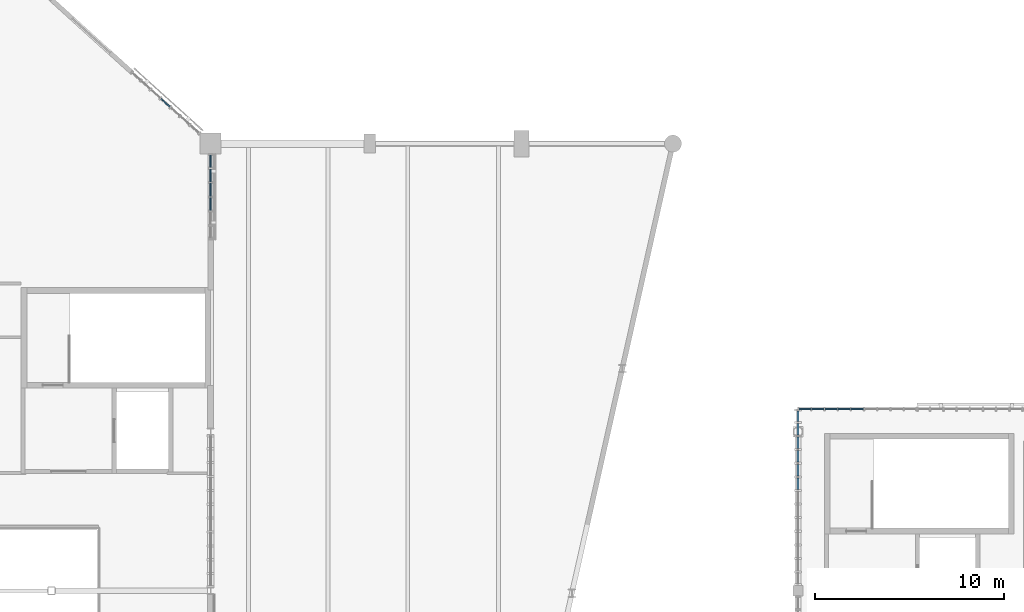
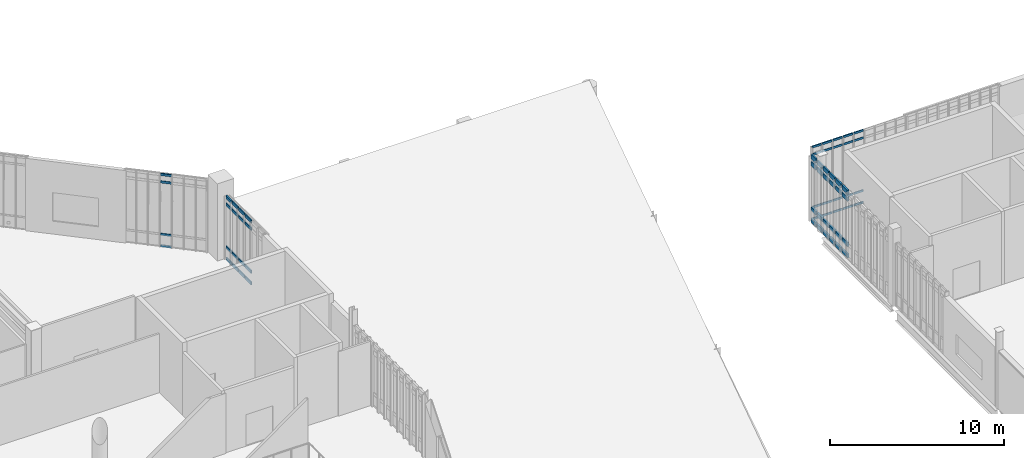
# One storey, part 60 of 135: 64 members, 4 elements without a shape of their own.
"""IFC4 building model written with IfcOpenShell, lengths in metres."""

import ifcopenshell
import ifcopenshell.guid

model = None  # the IFC model being written
_history = None  # IfcOwnerHistory: only IFC2X3 demands one
_inside = {}  # id of a spatial element -> (the spatial element, [elements in it])
_under = {}  # id of a project, library or spatial element -> (it, [spatial elements below it])
_declared = {}  # id of a project -> (the project, [libraries it declares])
_typed = {}  # id of a type object -> (the type object, [elements of that type])
_made_of = {}  # id of a material, layer set ... -> (it, [elements and type objects made of it])


def new_model(schema):
    """Start an empty IFC model of exactly this schema.

    Asked for "IFC4X3", IfcOpenShell would pick the latest addendum, in which some entities
    have other attributes; the version numbers below select the first issue.
    IFC2X3 requires an IfcOwnerHistory on every rooted entity: one is made here for all.
    """
    global model, _history
    if schema == "IFC4X3":
        model = ifcopenshell.file(schema_version=(4, 3, 0, 0))
    else:
        model = ifcopenshell.file(schema=schema)
    _inside.clear()
    _under.clear()
    _declared.clear()
    _typed.clear()
    _made_of.clear()
    _history = None
    if model.schema == "IFC2X3":
        org = make("IfcOrganization", Name="unknown")
        user = make(
            "IfcPersonAndOrganization",
            ThePerson=make("IfcPerson", FamilyName="unknown"),
            TheOrganization=org,
        )
        app = make(
            "IfcApplication",
            ApplicationDeveloper=org,
            Version="unknown",
            ApplicationFullName="unknown",
            ApplicationIdentifier="unknown",
        )
        _history = make(
            "IfcOwnerHistory",
            OwningUser=user,
            OwningApplication=app,
            ChangeAction="ADDED",
            CreationDate=0,
        )
    return model


def make(cls, **values):
    """One entity of the class cls with the attributes given. An attribute that is None is left unset."""
    return model.create_entity(
        cls, **{name: value for name, value in values.items() if value is not None}
    )


def rooted(cls, **values):
    """An entity with a GlobalId (a new one), such as an element, a storey or a relation."""
    return make(cls, GlobalId=ifcopenshell.guid.new(), OwnerHistory=_history, **values)


def si_unit(unit_type, name, prefix=None):
    """IfcSIUnit, for example si_unit("LENGTHUNIT", "METRE", prefix="MILLI")."""
    return make("IfcSIUnit", UnitType=unit_type, Prefix=prefix, Name=name)


def assignment(units):
    """IfcUnitAssignment: the units of a project."""
    return None if units is None else make("IfcUnitAssignment", Units=units)


def point(xyz):
    """IfcCartesianPoint."""
    return None if xyz is None else make("IfcCartesianPoint", Coordinates=xyz)


def direction(xyz):
    """IfcDirection."""
    return None if xyz is None else make("IfcDirection", DirectionRatios=xyz)


def frame(location, z_axis=None, x_axis=None):
    """IfcAxis2Placement3D, a coordinate frame: its origin and axes. An axis left out is left unset."""
    return make(
        "IfcAxis2Placement3D",
        Location=point(location),
        Axis=direction(z_axis),
        RefDirection=direction(x_axis),
    )


def frame_2d(location, x_axis=None):
    """IfcAxis2Placement2D, a coordinate frame in the plane: its origin and x axis."""
    return make(
        "IfcAxis2Placement2D", Location=point(location), RefDirection=direction(x_axis)
    )


def origin():
    """The frame at (0, 0, 0) with its axes left unset."""
    return frame((0.0, 0.0, 0.0))


def origin_2d():
    """The frame at (0, 0) in the plane with its x axis left unset."""
    return frame_2d((0.0, 0.0))


def place(relative_to, where):
    """IfcLocalPlacement: puts the frame where relative to a parent placement (None: the world)."""
    return make(
        "IfcLocalPlacement", PlacementRelTo=relative_to, RelativePlacement=where
    )


def context(
    kind, dimensions, precision=None, world=None, true_north=None, identifier=None
):
    """IfcGeometricRepresentationContext, for example the 3D "Model" context."""
    return make(
        "IfcGeometricRepresentationContext",
        ContextIdentifier=identifier,
        ContextType=kind,
        CoordinateSpaceDimension=dimensions,
        Precision=precision,
        WorldCoordinateSystem=world,
        TrueNorth=true_north,
    )


def subcontext(parent, identifier, kind, view, scale=None):
    """IfcGeometricRepresentationSubContext, for example "Body" below "Model"."""
    return make(
        "IfcGeometricRepresentationSubContext",
        ContextIdentifier=identifier,
        ContextType=kind,
        ParentContext=parent,
        TargetScale=scale,
        TargetView=view,
    )


def project(units=None, contexts=None):
    """IfcProject with its units and contexts."""
    return rooted(
        "IfcProject",
        Name="project",
        RepresentationContexts=contexts,
        UnitsInContext=assignment(units),
    )


def spatial(cls, under=None, at=None, **own):
    """A site, building, storey or space (cls), placed at a placement, below another one or the project."""
    s = rooted(cls, ObjectPlacement=at, **own)
    if under is not None:
        _under.setdefault(under.id(), (under, []))[1].append(s)
    return s


def profile(cls, at=None, kind="AREA", **sizes):
    """A parametric profile (cls). Its sizes go by their IFC names, for example OverallWidth=200.0."""
    return make(cls, ProfileType=kind, Position=at, **sizes)


def rectangle(**sizes):
    """IfcRectangleProfileDef."""
    return profile("IfcRectangleProfileDef", **sizes)


def extrude(swept, where, along, depth):
    """IfcExtrudedAreaSolid: the profile swept, set in the frame where, extruded along a direction by depth."""
    return make(
        "IfcExtrudedAreaSolid",
        SweptArea=swept,
        Position=where,
        ExtrudedDirection=direction(along),
        Depth=depth,
    )


def shape(context_of_items, identifier, shape_type, items):
    """IfcShapeRepresentation: the items that make up one representation, for example the "Body"."""
    return make(
        "IfcShapeRepresentation",
        ContextOfItems=context_of_items,
        RepresentationIdentifier=identifier,
        RepresentationType=shape_type,
        Items=items,
    )


def material(Name=None, Category=None):
    """IfcMaterial."""
    return make("IfcMaterial", Name=Name, Category=Category)


def material_profile(
    of_material, cross_section, Name=None, Category=None, Priority=None
):
    """IfcMaterialProfile: a cross section and its material."""
    return make(
        "IfcMaterialProfile",
        Name=Name,
        Material=of_material,
        Profile=cross_section,
        Priority=Priority,
        Category=Category,
    )


def profile_set(profiles, Name=None, composite=None):
    """IfcMaterialProfileSet."""
    return make(
        "IfcMaterialProfileSet",
        Name=Name,
        MaterialProfiles=profiles,
        CompositeProfile=composite,
    )


def made_of(thing, what):
    """Note that an element or type object is made of a material, layer set ...; save() writes the relation."""
    if what is not None:
        _made_of.setdefault(what.id(), (what, []))[1].append(thing)
    return thing


def type_object(cls, material=None, **own):
    """A type object (cls), such as IfcWallType, which elements share."""
    return made_of(rooted(cls, **own), material)


def element(
    cls,
    number,
    at=None,
    inside=None,
    cuts=None,
    type_object=None,
    material=None,
    context=None,
    identifier="Body",
    shape_type=None,
    held_by="IfcProductDefinitionShape",
    body=None,
    shapes=None,
    **own,
):
    """One element of the class cls, such as IfcWall. Its Tag is "e" and its number.

    at: its placement. inside: the storey or other place that contains it. cuts: it is an
    opening in that element (IfcRelVoidsElement). A single representation is given by context,
    identifier, shape_type and body (its items); several are given by shapes. held_by: the class
    of the entity that holds the representations. save() writes the other relations.
    """
    e = rooted(cls, Tag="e%d" % number, ObjectPlacement=at, **own)
    if body is not None:
        shapes = [shape(context, identifier, shape_type, body)]
    if shapes is not None:
        e.Representation = make(held_by, Representations=shapes)
    if inside is not None:
        _inside.setdefault(inside.id(), (inside, []))[1].append(e)
    if cuts is not None:
        rooted(
            "IfcRelVoidsElement", RelatingBuildingElement=cuts, RelatedOpeningElement=e
        )
    if type_object is not None:
        _typed.setdefault(type_object.id(), (type_object, []))[1].append(e)
    return made_of(e, material)


def aggregate(whole, parts):
    """IfcRelAggregates: a whole, such as a stair, and the parts it consists of."""
    return rooted("IfcRelAggregates", RelatingObject=whole, RelatedObjects=parts)


def save(model, path):
    """Write the relations noted so far, then the file.

    IfcRelAggregates (storeys below a building ...), IfcRelContainedInSpatialStructure (elements
    in a storey), IfcRelDefinesByType, IfcRelAssociatesMaterial and IfcRelDeclares: one each for
    every whole, place, type object, material and project.
    """
    for whole, parts in _under.values():
        aggregate(whole, parts)
    for where, things in _inside.values():
        rooted(
            "IfcRelContainedInSpatialStructure",
            RelatedElements=things,
            RelatingStructure=where,
        )
    for kind, things in _typed.values():
        rooted("IfcRelDefinesByType", RelatedObjects=things, RelatingType=kind)
    for what, things in _made_of.values():
        rooted("IfcRelAssociatesMaterial", RelatedObjects=things, RelatingMaterial=what)
    for by, libraries in _declared.values():
        rooted("IfcRelDeclares", RelatingContext=by, RelatedDefinitions=libraries)
    model.write(path)


model = new_model("IFC4")

# Units and contexts
model_context = context("Model", 3, precision=1e-05, world=origin(), true_north=direction((0.0, 1.0)))
body_context = subcontext(model_context, "Body", "Model", "MODEL_VIEW")
ifc_project = project(units=[si_unit("LENGTHUNIT", "METRE"), si_unit("AREAUNIT", "SQUARE_METRE"), si_unit("VOLUMEUNIT", "CUBIC_METRE"), si_unit("PLANEANGLEUNIT", "RADIAN"), si_unit("MASSUNIT", "GRAM", prefix="KILO")], contexts=[model_context])

# Site, building, storey
site_placement = place(None, origin())
site = spatial("IfcSite", under=ifc_project, at=site_placement, CompositionType="ELEMENT")
building_placement = place(site_placement, origin())
building = spatial("IfcBuilding", under=site, at=building_placement, Name="Larkvane Passage Sports Hall", CompositionType="ELEMENT")
storey_placement = place(building_placement, frame((0.0, 0.0, 16.800048828125)))
storey = spatial("IfcBuildingStorey", under=building, at=storey_placement, Name="L03", CompositionType="ELEMENT", Elevation=16.800048828125)

# Curtain wall, members
ifc_material_1 = material(Name="Thermally broken aluminium and low-E glazing", Category="aluminium")
curtain_wall_type_1 = type_object("IfcCurtainWallType", Name="CW-CLINIC", PredefinedType="USERDEFINED", material=ifc_material_1)
curtain_wall_1_placement = place(storey_placement, origin())
curtain_wall_1 = element("IfcCurtainWall", 1, at=curtain_wall_1_placement, inside=storey, type_object=curtain_wall_type_1, Name="Curtain wall CW5-L03-103", ObjectType="UNITISED CURTAIN WALL", PredefinedType="USERDEFINED")
ifc_material_2 = material(Name="Anodised aluminium 6063-T6", Category="aluminium")
ifc_material_profile_1 = material_profile(ifc_material_2, rectangle(XDim=0.110107421875, YDim=0.2900390625, at=origin_2d()), Name="ALU-TRN-110x290")
ifc_profile_set_1 = profile_set([ifc_material_profile_1], Name="Anodised aluminium 6063-T6")
member_type_1 = type_object("IfcMemberType", Name="CW-TRN-110x290", PredefinedType="USERDEFINED", material=ifc_profile_set_1)
member_1_placement = place(storey_placement, frame((124.60009765625, 80.94921875, 0.054931640625), z_axis=(0.0, 1.0, 0.0), x_axis=(-1.0, 0.0, 0.0)))
member_1 = element("IfcMember", 2, at=member_1_placement, type_object=member_type_1, Name="CW-05 transom 8.1", ObjectType="TRANSOM", PredefinedType="USERDEFINED", context=body_context, shape_type="SweptSolid", body=[
    extrude(rectangle(XDim=0.110107421875, YDim=0.2900390625, at=origin_2d()), origin(), (0.0, 0.0, 1.0), 0.607666015625),
])
member_2_placement = place(storey_placement, frame((124.60009765625, 80.94921875, 0.849853515625), z_axis=(0.0, 1.0, 0.0), x_axis=(-1.0, 0.0, 0.0)))
member_2 = element("IfcMember", 3, at=member_2_placement, type_object=member_type_1, Name="CW-05 transom 8.2", ObjectType="TRANSOM", PredefinedType="USERDEFINED", context=body_context, shape_type="SweptSolid", body=[
    extrude(rectangle(XDim=0.110107421875, YDim=0.2900390625, at=origin_2d()), origin(), (0.0, 0.0, 1.0), 0.607666015625),
])
member_3_placement = place(storey_placement, frame((124.60009765625, 80.94921875, 4.01806640625), z_axis=(0.0, 1.0, 0.0), x_axis=(-1.0, 0.0, 0.0)))
member_3 = element("IfcMember", 4, at=member_3_placement, type_object=member_type_1, Name="CW-05 transom 8.3", ObjectType="TRANSOM", PredefinedType="USERDEFINED", context=body_context, shape_type="SweptSolid", body=[
    extrude(rectangle(XDim=0.110107421875, YDim=0.2900390625, at=origin_2d()), origin(), (0.0, 0.0, 1.0), 0.607666015625),
])
member_4_placement = place(storey_placement, frame((124.60009765625, 80.94921875, 4.512939453125), z_axis=(0.0, 1.0, 0.0), x_axis=(-1.0, 0.0, 0.0)))
member_4 = element("IfcMember", 5, at=member_4_placement, type_object=member_type_1, Name="CW-05 transom 8.4", ObjectType="TRANSOM", PredefinedType="USERDEFINED", context=body_context, shape_type="SweptSolid", body=[
    extrude(rectangle(XDim=0.110107421875, YDim=0.2900390625, at=origin_2d()), origin(), (0.0, 0.0, 1.0), 0.607666015625),
])
member_5_placement = place(storey_placement, frame((124.60009765625, 81.6669921875, 0.054931640625), z_axis=(0.0, 1.0, 0.0), x_axis=(-1.0, 0.0, 0.0)))
member_5 = element("IfcMember", 6, at=member_5_placement, type_object=member_type_1, Name="CW-05 transom 9.1", ObjectType="TRANSOM", PredefinedType="USERDEFINED", context=body_context, shape_type="SweptSolid", body=[
    extrude(rectangle(XDim=0.110107421875, YDim=0.2900390625, at=origin_2d()), origin(), (0.0, 0.0, 1.0), 0.607666015625),
])
member_6_placement = place(storey_placement, frame((124.60009765625, 81.6669921875, 0.849853515625), z_axis=(0.0, 1.0, 0.0), x_axis=(-1.0, 0.0, 0.0)))
member_6 = element("IfcMember", 7, at=member_6_placement, type_object=member_type_1, Name="CW-05 transom 9.2", ObjectType="TRANSOM", PredefinedType="USERDEFINED", context=body_context, shape_type="SweptSolid", body=[
    extrude(rectangle(XDim=0.110107421875, YDim=0.2900390625, at=origin_2d()), origin(), (0.0, 0.0, 1.0), 0.607666015625),
])
member_7_placement = place(storey_placement, frame((124.60009765625, 81.6669921875, 4.01806640625), z_axis=(0.0, 1.0, 0.0), x_axis=(-1.0, 0.0, 0.0)))
member_7 = element("IfcMember", 8, at=member_7_placement, type_object=member_type_1, Name="CW-05 transom 9.3", ObjectType="TRANSOM", PredefinedType="USERDEFINED", context=body_context, shape_type="SweptSolid", body=[
    extrude(rectangle(XDim=0.110107421875, YDim=0.2900390625, at=origin_2d()), origin(), (0.0, 0.0, 1.0), 0.607666015625),
])
member_8_placement = place(storey_placement, frame((124.60009765625, 81.6669921875, 4.512939453125), z_axis=(0.0, 1.0, 0.0), x_axis=(-1.0, 0.0, 0.0)))
member_8 = element("IfcMember", 9, at=member_8_placement, type_object=member_type_1, Name="CW-05 transom 9.4", ObjectType="TRANSOM", PredefinedType="USERDEFINED", context=body_context, shape_type="SweptSolid", body=[
    extrude(rectangle(XDim=0.110107421875, YDim=0.2900390625, at=origin_2d()), origin(), (0.0, 0.0, 1.0), 0.607666015625),
])
member_9_placement = place(storey_placement, frame((124.60009765625, 82.384521484375, 0.054931640625), z_axis=(0.0, 1.0, 0.0), x_axis=(-1.0, 0.0, 0.0)))
member_9 = element("IfcMember", 10, at=member_9_placement, type_object=member_type_1, Name="CW-05 transom 10.1", ObjectType="TRANSOM", PredefinedType="USERDEFINED", context=body_context, shape_type="SweptSolid", body=[
    extrude(rectangle(XDim=0.110107421875, YDim=0.2900390625, at=origin_2d()), origin(), (0.0, 0.0, 1.0), 0.607666015625),
])
member_10_placement = place(storey_placement, frame((124.60009765625, 82.384521484375, 0.849853515625), z_axis=(0.0, 1.0, 0.0), x_axis=(-1.0, 0.0, 0.0)))
member_10 = element("IfcMember", 11, at=member_10_placement, type_object=member_type_1, Name="CW-05 transom 10.2", ObjectType="TRANSOM", PredefinedType="USERDEFINED", context=body_context, shape_type="SweptSolid", body=[
    extrude(rectangle(XDim=0.110107421875, YDim=0.2900390625, at=origin_2d()), origin(), (0.0, 0.0, 1.0), 0.607666015625),
])
member_11_placement = place(storey_placement, frame((124.60009765625, 82.384521484375, 4.01806640625), z_axis=(0.0, 1.0, 0.0), x_axis=(-1.0, 0.0, 0.0)))
member_11 = element("IfcMember", 12, at=member_11_placement, type_object=member_type_1, Name="CW-05 transom 10.3", ObjectType="TRANSOM", PredefinedType="USERDEFINED", context=body_context, shape_type="SweptSolid", body=[
    extrude(rectangle(XDim=0.110107421875, YDim=0.2900390625, at=origin_2d()), origin(), (0.0, 0.0, 1.0), 0.607666015625),
])
member_12_placement = place(storey_placement, frame((124.60009765625, 82.384521484375, 4.512939453125), z_axis=(0.0, 1.0, 0.0), x_axis=(-1.0, 0.0, 0.0)))
member_12 = element("IfcMember", 13, at=member_12_placement, type_object=member_type_1, Name="CW-05 transom 10.4", ObjectType="TRANSOM", PredefinedType="USERDEFINED", context=body_context, shape_type="SweptSolid", body=[
    extrude(rectangle(XDim=0.110107421875, YDim=0.2900390625, at=origin_2d()), origin(), (0.0, 0.0, 1.0), 0.607666015625),
])
member_13_placement = place(storey_placement, frame((124.60009765625, 83.10205078125, 0.054931640625), z_axis=(0.0, 1.0, 0.0), x_axis=(-1.0, 0.0, 0.0)))
member_13 = element("IfcMember", 14, at=member_13_placement, type_object=member_type_1, Name="CW-05 transom 11.1", ObjectType="TRANSOM", PredefinedType="USERDEFINED", context=body_context, shape_type="SweptSolid", body=[
    extrude(rectangle(XDim=0.110107421875, YDim=0.2900390625, at=origin_2d()), origin(), (0.0, 0.0, 1.0), 0.607666015625),
])
member_14_placement = place(storey_placement, frame((124.60009765625, 83.10205078125, 0.849853515625), z_axis=(0.0, 1.0, 0.0), x_axis=(-1.0, 0.0, 0.0)))
member_14 = element("IfcMember", 15, at=member_14_placement, type_object=member_type_1, Name="CW-05 transom 11.2", ObjectType="TRANSOM", PredefinedType="USERDEFINED", context=body_context, shape_type="SweptSolid", body=[
    extrude(rectangle(XDim=0.110107421875, YDim=0.2900390625, at=origin_2d()), origin(), (0.0, 0.0, 1.0), 0.607666015625),
])
member_15_placement = place(storey_placement, frame((124.60009765625, 83.10205078125, 4.01806640625), z_axis=(0.0, 1.0, 0.0), x_axis=(-1.0, 0.0, 0.0)))
member_15 = element("IfcMember", 16, at=member_15_placement, type_object=member_type_1, Name="CW-05 transom 11.3", ObjectType="TRANSOM", PredefinedType="USERDEFINED", context=body_context, shape_type="SweptSolid", body=[
    extrude(rectangle(XDim=0.110107421875, YDim=0.2900390625, at=origin_2d()), origin(), (0.0, 0.0, 1.0), 0.607666015625),
])
member_16_placement = place(storey_placement, frame((124.60009765625, 83.10205078125, 4.512939453125), z_axis=(0.0, 1.0, 0.0), x_axis=(-1.0, 0.0, 0.0)))
member_16 = element("IfcMember", 17, at=member_16_placement, type_object=member_type_1, Name="CW-05 transom 11.4", ObjectType="TRANSOM", PredefinedType="USERDEFINED", context=body_context, shape_type="SweptSolid", body=[
    extrude(rectangle(XDim=0.110107421875, YDim=0.2900390625, at=origin_2d()), origin(), (0.0, 0.0, 1.0), 0.607666015625),
])
member_17_placement = place(storey_placement, frame((124.60009765625, 83.81982421875, 0.054931640625), z_axis=(0.0, 1.0, 0.0), x_axis=(-1.0, 0.0, 0.0)))
member_17 = element("IfcMember", 18, at=member_17_placement, type_object=member_type_1, Name="CW-05 transom 12.1", ObjectType="TRANSOM", PredefinedType="USERDEFINED", context=body_context, shape_type="SweptSolid", body=[
    extrude(rectangle(XDim=0.110107421875, YDim=0.2900390625, at=origin_2d()), origin(), (0.0, 0.0, 1.0), 0.607666015625),
])
member_18_placement = place(storey_placement, frame((124.60009765625, 83.81982421875, 0.849853515625), z_axis=(0.0, 1.0, 0.0), x_axis=(-1.0, 0.0, 0.0)))
member_18 = element("IfcMember", 19, at=member_18_placement, type_object=member_type_1, Name="CW-05 transom 12.2", ObjectType="TRANSOM", PredefinedType="USERDEFINED", context=body_context, shape_type="SweptSolid", body=[
    extrude(rectangle(XDim=0.110107421875, YDim=0.2900390625, at=origin_2d()), origin(), (0.0, 0.0, 1.0), 0.607666015625),
])
member_19_placement = place(storey_placement, frame((124.60009765625, 83.81982421875, 4.01806640625), z_axis=(0.0, 1.0, 0.0), x_axis=(-1.0, 0.0, 0.0)))
member_19 = element("IfcMember", 20, at=member_19_placement, type_object=member_type_1, Name="CW-05 transom 12.3", ObjectType="TRANSOM", PredefinedType="USERDEFINED", context=body_context, shape_type="SweptSolid", body=[
    extrude(rectangle(XDim=0.110107421875, YDim=0.2900390625, at=origin_2d()), origin(), (0.0, 0.0, 1.0), 0.607666015625),
])
member_20_placement = place(storey_placement, frame((124.60009765625, 83.81982421875, 4.512939453125), z_axis=(0.0, 1.0, 0.0), x_axis=(-1.0, 0.0, 0.0)))
member_20 = element("IfcMember", 21, at=member_20_placement, type_object=member_type_1, Name="CW-05 transom 12.4", ObjectType="TRANSOM", PredefinedType="USERDEFINED", context=body_context, shape_type="SweptSolid", body=[
    extrude(rectangle(XDim=0.110107421875, YDim=0.2900390625, at=origin_2d()), origin(), (0.0, 0.0, 1.0), 0.607666015625),
])
member_21_placement = place(storey_placement, frame((124.60009765625, 84.537353515625, 0.054931640625), z_axis=(0.0, 1.0, 0.0), x_axis=(-1.0, 0.0, 0.0)))
member_21 = element("IfcMember", 22, at=member_21_placement, type_object=member_type_1, Name="CW-05 transom 13.1", ObjectType="TRANSOM", PredefinedType="USERDEFINED", context=body_context, shape_type="SweptSolid", body=[
    extrude(rectangle(XDim=0.110107421875, YDim=0.2900390625, at=origin_2d()), origin(), (0.0, 0.0, 1.0), 0.552734375),
])
member_22_placement = place(storey_placement, frame((124.60009765625, 84.537353515625, 0.849853515625), z_axis=(0.0, 1.0, 0.0), x_axis=(-1.0, 0.0, 0.0)))
member_22 = element("IfcMember", 23, at=member_22_placement, type_object=member_type_1, Name="CW-05 transom 13.2", ObjectType="TRANSOM", PredefinedType="USERDEFINED", context=body_context, shape_type="SweptSolid", body=[
    extrude(rectangle(XDim=0.110107421875, YDim=0.2900390625, at=origin_2d()), origin(), (0.0, 0.0, 1.0), 0.552734375),
])
member_23_placement = place(storey_placement, frame((124.60009765625, 84.537353515625, 4.01806640625), z_axis=(0.0, 1.0, 0.0), x_axis=(-1.0, 0.0, 0.0)))
member_23 = element("IfcMember", 24, at=member_23_placement, type_object=member_type_1, Name="CW-05 transom 13.3", ObjectType="TRANSOM", PredefinedType="USERDEFINED", context=body_context, shape_type="SweptSolid", body=[
    extrude(rectangle(XDim=0.110107421875, YDim=0.2900390625, at=origin_2d()), origin(), (0.0, 0.0, 1.0), 0.552734375),
])
member_24_placement = place(storey_placement, frame((124.60009765625, 84.537353515625, 4.512939453125), z_axis=(0.0, 1.0, 0.0), x_axis=(-1.0, 0.0, 0.0)))
member_24 = element("IfcMember", 25, at=member_24_placement, type_object=member_type_1, Name="CW-05 transom 13.4", ObjectType="TRANSOM", PredefinedType="USERDEFINED", context=body_context, shape_type="SweptSolid", body=[
    extrude(rectangle(XDim=0.110107421875, YDim=0.2900390625, at=origin_2d()), origin(), (0.0, 0.0, 1.0), 0.552734375),
])
aggregate(curtain_wall_1, [member_1, member_2, member_3, member_4, member_5, member_6, member_7, member_8, member_9, member_10, member_11, member_12, member_13, member_14, member_15, member_16, member_17, member_18, member_19, member_20, member_21, member_22, member_23, member_24])

curtain_wall_type_2 = type_object("IfcCurtainWallType", Name="CW-UNIT-COURT", PredefinedType="USERDEFINED", material=ifc_material_1)
curtain_wall_2_placement = place(storey_placement, origin())
curtain_wall_2 = element("IfcCurtainWall", 26, at=curtain_wall_2_placement, inside=storey, type_object=curtain_wall_type_2, Name="Curtain wall CW5-L03-104", ObjectType="UNITISED CURTAIN WALL", PredefinedType="USERDEFINED")
ifc_material_profile_2 = material_profile(ifc_material_2, rectangle(XDim=0.06494140625, YDim=0.139892578125, at=origin_2d()), Name="ALU-TRN-65x140")
ifc_profile_set_2 = profile_set([ifc_material_profile_2], Name="Anodised aluminium 6063-T6")
member_type_2 = type_object("IfcMemberType", Name="CW-TRN-65x140", PredefinedType="USERDEFINED", material=ifc_profile_set_2)
member_25_placement = place(storey_placement, frame((124.6650390625, 85.199951171875, 0.032470703125), z_axis=(1.0, 0.0, 0.0), x_axis=(0.0, 1.0, 0.0)))
member_25 = element("IfcMember", 27, at=member_25_placement, type_object=member_type_2, Name="CW-01 transom 1.1", ObjectType="TRANSOM", PredefinedType="USERDEFINED", context=body_context, shape_type="SweptSolid", body=[
    extrude(rectangle(XDim=0.06494140625, YDim=0.139892578125, at=origin_2d()), origin(), (0.0, 0.0, 1.0), 0.599609375),
])
member_26_placement = place(storey_placement, frame((124.6650390625, 85.199951171875, 0.849853515625), z_axis=(1.0, 0.0, 0.0), x_axis=(0.0, 1.0, 0.0)))
member_26 = element("IfcMember", 28, at=member_26_placement, type_object=member_type_2, Name="CW-01 transom 1.2", ObjectType="TRANSOM", PredefinedType="USERDEFINED", context=body_context, shape_type="SweptSolid", body=[
    extrude(rectangle(XDim=0.06494140625, YDim=0.139892578125, at=origin_2d()), origin(), (0.0, 0.0, 1.0), 0.599609375),
])
member_27_placement = place(storey_placement, frame((124.6650390625, 85.199951171875, 4.550048828125), z_axis=(1.0, 0.0, 0.0), x_axis=(0.0, 1.0, 0.0)))
member_27 = element("IfcMember", 29, at=member_27_placement, type_object=member_type_2, Name="CW-01 transom 1.3", ObjectType="TRANSOM", PredefinedType="USERDEFINED", context=body_context, shape_type="SweptSolid", body=[
    extrude(rectangle(XDim=0.06494140625, YDim=0.139892578125, at=origin_2d()), origin(), (0.0, 0.0, 1.0), 0.599609375),
])
member_28_placement = place(storey_placement, frame((124.6650390625, 85.199951171875, 5.0673828125), z_axis=(1.0, 0.0, 0.0), x_axis=(0.0, 1.0, 0.0)))
member_28 = element("IfcMember", 30, at=member_28_placement, type_object=member_type_2, Name="CW-01 transom 1.4", ObjectType="TRANSOM", PredefinedType="USERDEFINED", context=body_context, shape_type="SweptSolid", body=[
    extrude(rectangle(XDim=0.06494140625, YDim=0.139892578125, at=origin_2d()), origin(), (0.0, 0.0, 1.0), 0.599609375),
])
member_29_placement = place(storey_placement, frame((125.329833984375, 85.199951171875, 0.032470703125), z_axis=(1.0, 0.0, 0.0), x_axis=(0.0, 1.0, 0.0)))
member_29 = element("IfcMember", 31, at=member_29_placement, type_object=member_type_2, Name="CW-01 transom 2.1", ObjectType="TRANSOM", PredefinedType="USERDEFINED", context=body_context, shape_type="SweptSolid", body=[
    extrude(rectangle(XDim=0.06494140625, YDim=0.139892578125, at=origin_2d()), origin(), (0.0, 0.0, 1.0), 0.632080078125),
])
member_30_placement = place(storey_placement, frame((125.329833984375, 85.199951171875, 0.849853515625), z_axis=(1.0, 0.0, 0.0), x_axis=(0.0, 1.0, 0.0)))
member_30 = element("IfcMember", 32, at=member_30_placement, type_object=member_type_2, Name="CW-01 transom 2.2", ObjectType="TRANSOM", PredefinedType="USERDEFINED", context=body_context, shape_type="SweptSolid", body=[
    extrude(rectangle(XDim=0.06494140625, YDim=0.139892578125, at=origin_2d()), origin(), (0.0, 0.0, 1.0), 0.632080078125),
])
member_31_placement = place(storey_placement, frame((125.329833984375, 85.199951171875, 4.550048828125), z_axis=(1.0, 0.0, 0.0), x_axis=(0.0, 1.0, 0.0)))
member_31 = element("IfcMember", 33, at=member_31_placement, type_object=member_type_2, Name="CW-01 transom 2.3", ObjectType="TRANSOM", PredefinedType="USERDEFINED", context=body_context, shape_type="SweptSolid", body=[
    extrude(rectangle(XDim=0.06494140625, YDim=0.139892578125, at=origin_2d()), origin(), (0.0, 0.0, 1.0), 0.632080078125),
])
member_32_placement = place(storey_placement, frame((125.329833984375, 85.199951171875, 5.0673828125), z_axis=(1.0, 0.0, 0.0), x_axis=(0.0, 1.0, 0.0)))
member_32 = element("IfcMember", 34, at=member_32_placement, type_object=member_type_2, Name="CW-01 transom 2.4", ObjectType="TRANSOM", PredefinedType="USERDEFINED", context=body_context, shape_type="SweptSolid", body=[
    extrude(rectangle(XDim=0.06494140625, YDim=0.139892578125, at=origin_2d()), origin(), (0.0, 0.0, 1.0), 0.632080078125),
])
member_33_placement = place(storey_placement, frame((126.02685546875, 85.199951171875, 0.032470703125), z_axis=(1.0, 0.0, 0.0), x_axis=(0.0, 1.0, 0.0)))
member_33 = element("IfcMember", 35, at=member_33_placement, type_object=member_type_2, Name="CW-01 transom 3.1", ObjectType="TRANSOM", PredefinedType="USERDEFINED", context=body_context, shape_type="SweptSolid", body=[
    extrude(rectangle(XDim=0.06494140625, YDim=0.139892578125, at=origin_2d()), origin(), (0.0, 0.0, 1.0), 0.63232421875),
])
member_34_placement = place(storey_placement, frame((126.02685546875, 85.199951171875, 0.849853515625), z_axis=(1.0, 0.0, 0.0), x_axis=(0.0, 1.0, 0.0)))
member_34 = element("IfcMember", 36, at=member_34_placement, type_object=member_type_2, Name="CW-01 transom 3.2", ObjectType="TRANSOM", PredefinedType="USERDEFINED", context=body_context, shape_type="SweptSolid", body=[
    extrude(rectangle(XDim=0.06494140625, YDim=0.139892578125, at=origin_2d()), origin(), (0.0, 0.0, 1.0), 0.63232421875),
])
member_35_placement = place(storey_placement, frame((126.02685546875, 85.199951171875, 4.550048828125), z_axis=(1.0, 0.0, 0.0), x_axis=(0.0, 1.0, 0.0)))
member_35 = element("IfcMember", 37, at=member_35_placement, type_object=member_type_2, Name="CW-01 transom 3.3", ObjectType="TRANSOM", PredefinedType="USERDEFINED", context=body_context, shape_type="SweptSolid", body=[
    extrude(rectangle(XDim=0.06494140625, YDim=0.139892578125, at=origin_2d()), origin(), (0.0, 0.0, 1.0), 0.63232421875),
])
member_36_placement = place(storey_placement, frame((126.02685546875, 85.199951171875, 5.0673828125), z_axis=(1.0, 0.0, 0.0), x_axis=(0.0, 1.0, 0.0)))
member_36 = element("IfcMember", 38, at=member_36_placement, type_object=member_type_2, Name="CW-01 transom 3.4", ObjectType="TRANSOM", PredefinedType="USERDEFINED", context=body_context, shape_type="SweptSolid", body=[
    extrude(rectangle(XDim=0.06494140625, YDim=0.139892578125, at=origin_2d()), origin(), (0.0, 0.0, 1.0), 0.63232421875),
])
member_37_placement = place(storey_placement, frame((126.72412109375, 85.199951171875, 0.032470703125), z_axis=(1.0, 0.0, 0.0), x_axis=(0.0, 1.0, 0.0)))
member_37 = element("IfcMember", 39, at=member_37_placement, type_object=member_type_2, Name="CW-01 transom 4.1", ObjectType="TRANSOM", PredefinedType="USERDEFINED", context=body_context, shape_type="SweptSolid", body=[
    extrude(rectangle(XDim=0.06494140625, YDim=0.139892578125, at=origin_2d()), origin(), (0.0, 0.0, 1.0), 0.63232421875),
])
member_38_placement = place(storey_placement, frame((126.72412109375, 85.199951171875, 0.849853515625), z_axis=(1.0, 0.0, 0.0), x_axis=(0.0, 1.0, 0.0)))
member_38 = element("IfcMember", 40, at=member_38_placement, type_object=member_type_2, Name="CW-01 transom 4.2", ObjectType="TRANSOM", PredefinedType="USERDEFINED", context=body_context, shape_type="SweptSolid", body=[
    extrude(rectangle(XDim=0.06494140625, YDim=0.139892578125, at=origin_2d()), origin(), (0.0, 0.0, 1.0), 0.63232421875),
])
member_39_placement = place(storey_placement, frame((126.72412109375, 85.199951171875, 4.550048828125), z_axis=(1.0, 0.0, 0.0), x_axis=(0.0, 1.0, 0.0)))
member_39 = element("IfcMember", 41, at=member_39_placement, type_object=member_type_2, Name="CW-01 transom 4.3", ObjectType="TRANSOM", PredefinedType="USERDEFINED", context=body_context, shape_type="SweptSolid", body=[
    extrude(rectangle(XDim=0.06494140625, YDim=0.139892578125, at=origin_2d()), origin(), (0.0, 0.0, 1.0), 0.63232421875),
])
member_40_placement = place(storey_placement, frame((126.72412109375, 85.199951171875, 5.0673828125), z_axis=(1.0, 0.0, 0.0), x_axis=(0.0, 1.0, 0.0)))
member_40 = element("IfcMember", 42, at=member_40_placement, type_object=member_type_2, Name="CW-01 transom 4.4", ObjectType="TRANSOM", PredefinedType="USERDEFINED", context=body_context, shape_type="SweptSolid", body=[
    extrude(rectangle(XDim=0.06494140625, YDim=0.139892578125, at=origin_2d()), origin(), (0.0, 0.0, 1.0), 0.63232421875),
])
member_41_placement = place(storey_placement, frame((127.42138671875, 85.199951171875, 0.032470703125), z_axis=(1.0, 0.0, 0.0), x_axis=(0.0, 1.0, 0.0)))
member_41 = element("IfcMember", 43, at=member_41_placement, type_object=member_type_2, Name="CW-01 transom 5.1", ObjectType="TRANSOM", PredefinedType="USERDEFINED", context=body_context, shape_type="SweptSolid", body=[
    extrude(rectangle(XDim=0.06494140625, YDim=0.139892578125, at=origin_2d()), origin(), (0.0, 0.0, 1.0), 0.63232421875),
])
member_42_placement = place(storey_placement, frame((127.42138671875, 85.199951171875, 0.849853515625), z_axis=(1.0, 0.0, 0.0), x_axis=(0.0, 1.0, 0.0)))
member_42 = element("IfcMember", 44, at=member_42_placement, type_object=member_type_2, Name="CW-01 transom 5.2", ObjectType="TRANSOM", PredefinedType="USERDEFINED", context=body_context, shape_type="SweptSolid", body=[
    extrude(rectangle(XDim=0.06494140625, YDim=0.139892578125, at=origin_2d()), origin(), (0.0, 0.0, 1.0), 0.63232421875),
])
member_43_placement = place(storey_placement, frame((127.42138671875, 85.199951171875, 4.550048828125), z_axis=(1.0, 0.0, 0.0), x_axis=(0.0, 1.0, 0.0)))
member_43 = element("IfcMember", 45, at=member_43_placement, type_object=member_type_2, Name="CW-01 transom 5.3", ObjectType="TRANSOM", PredefinedType="USERDEFINED", context=body_context, shape_type="SweptSolid", body=[
    extrude(rectangle(XDim=0.06494140625, YDim=0.139892578125, at=origin_2d()), origin(), (0.0, 0.0, 1.0), 0.63232421875),
])
member_44_placement = place(storey_placement, frame((127.42138671875, 85.199951171875, 5.0673828125), z_axis=(1.0, 0.0, 0.0), x_axis=(0.0, 1.0, 0.0)))
member_44 = element("IfcMember", 46, at=member_44_placement, type_object=member_type_2, Name="CW-01 transom 5.4", ObjectType="TRANSOM", PredefinedType="USERDEFINED", context=body_context, shape_type="SweptSolid", body=[
    extrude(rectangle(XDim=0.06494140625, YDim=0.139892578125, at=origin_2d()), origin(), (0.0, 0.0, 1.0), 0.63232421875),
])
aggregate(curtain_wall_2, [member_25, member_26, member_27, member_28, member_29, member_30, member_31, member_32, member_33, member_34, member_35, member_36, member_37, member_38, member_39, member_40, member_41, member_42, member_43, member_44])

curtain_wall_type_3 = type_object("IfcCurtainWallType", Name="CW-UNIT-VEIL", PredefinedType="USERDEFINED", material=ifc_material_1)
curtain_wall_3_placement = place(storey_placement, origin())
curtain_wall_3 = element("IfcCurtainWall", 47, at=curtain_wall_3_placement, inside=storey, type_object=curtain_wall_type_3, Name="Curtain wall CW5-L03-141", ObjectType="UNITISED CURTAIN WALL", PredefinedType="USERDEFINED")
ifc_material_profile_3 = material_profile(ifc_material_2, rectangle(XDim=0.070068359375, YDim=0.159912109375, at=origin_2d()), Name="ALU-TRN-70x160")
ifc_profile_set_3 = profile_set([ifc_material_profile_3], Name="Anodised aluminium 6063-T6")
member_type_3 = type_object("IfcMemberType", Name="CW-TRN-70x160", PredefinedType="USERDEFINED", material=ifc_profile_set_3)
member_45_placement = place(storey_placement, frame((90.980224609375, 101.570068359375, 0.034912109375), z_axis=(0.741747349082, -0.670679409353, 0.0), x_axis=(0.670679409353, 0.741747349082, 0.0)))
member_45 = element("IfcMember", 48, at=member_45_placement, type_object=member_type_3, Name="CW-02 transom 4.1", ObjectType="TRANSOM", PredefinedType="USERDEFINED", context=body_context, shape_type="SweptSolid", body=[
    extrude(rectangle(XDim=0.070068359375, YDim=0.159912109375, at=origin_2d()), origin(), (0.0, 0.0, 1.0), 0.628662109375),
])
member_46_placement = place(storey_placement, frame((90.980224609375, 101.570068359375, 0.849853515625), z_axis=(0.741747349082, -0.670679409353, 0.0), x_axis=(0.670679409353, 0.741747349082, 0.0)))
member_46 = element("IfcMember", 49, at=member_46_placement, type_object=member_type_3, Name="CW-02 transom 4.2", ObjectType="TRANSOM", PredefinedType="USERDEFINED", context=body_context, shape_type="SweptSolid", body=[
    extrude(rectangle(XDim=0.070068359375, YDim=0.159912109375, at=origin_2d()), origin(), (0.0, 0.0, 1.0), 0.628662109375),
])
member_47_placement = place(storey_placement, frame((90.980224609375, 101.570068359375, 4.52001953125), z_axis=(0.741747349082, -0.670679409353, 0.0), x_axis=(0.670679409353, 0.741747349082, 0.0)))
member_47 = element("IfcMember", 50, at=member_47_placement, type_object=member_type_3, Name="CW-02 transom 4.3", ObjectType="TRANSOM", PredefinedType="USERDEFINED", context=body_context, shape_type="SweptSolid", body=[
    extrude(rectangle(XDim=0.070068359375, YDim=0.159912109375, at=origin_2d()), origin(), (0.0, 0.0, 1.0), 0.628662109375),
])
member_48_placement = place(storey_placement, frame((90.980224609375, 101.570068359375, 5.034912109375), z_axis=(0.741747349082, -0.670679409353, 0.0), x_axis=(0.670679409353, 0.741747349082, 0.0)))
member_48 = element("IfcMember", 51, at=member_48_placement, type_object=member_type_3, Name="CW-02 transom 4.4", ObjectType="TRANSOM", PredefinedType="USERDEFINED", context=body_context, shape_type="SweptSolid", body=[
    extrude(rectangle(XDim=0.070068359375, YDim=0.159912109375, at=origin_2d()), origin(), (0.0, 0.0, 1.0), 0.628662109375),
])
aggregate(curtain_wall_3, [member_45, member_46, member_47, member_48])

curtain_wall_type_4 = type_object("IfcCurtainWallType", Name="CW-STICK-FOYER", PredefinedType="USERDEFINED", material=ifc_material_1)
curtain_wall_4_placement = place(storey_placement, origin())
curtain_wall_4 = element("IfcCurtainWall", 52, at=curtain_wall_4_placement, inside=storey, type_object=curtain_wall_type_4, Name="Curtain wall CW5-L03-142", ObjectType="STICK CURTAIN WALL", PredefinedType="USERDEFINED")
ifc_material_profile_4 = material_profile(ifc_material_2, rectangle(XDim=0.080078125, YDim=0.2099609375, at=origin_2d()), Name="ALU-TRN-80x210")
ifc_profile_set_4 = profile_set([ifc_material_profile_4], Name="Anodised aluminium 6063-T6")
member_type_4 = type_object("IfcMemberType", Name="CW-TRN-80x210", PredefinedType="USERDEFINED", material=ifc_profile_set_4)
member_49_placement = place(storey_placement, frame((93.60009765625, 98.573974609375, 0.0400390625), z_axis=(0.0, -1.0, 0.0), x_axis=(1.0, 0.0, 0.0)))
member_49 = element("IfcMember", 53, at=member_49_placement, type_object=member_type_4, Name="CW-03 transom 1.1", ObjectType="TRANSOM", PredefinedType="USERDEFINED", context=body_context, shape_type="SweptSolid", body=[
    extrude(rectangle(XDim=0.080078125, YDim=0.2099609375, at=origin_2d()), origin(), (0.0, 0.0, 1.0), 0.633544921875),
])
member_50_placement = place(storey_placement, frame((93.60009765625, 98.573974609375, 0.849853515625), z_axis=(0.0, -1.0, 0.0), x_axis=(1.0, 0.0, 0.0)))
member_50 = element("IfcMember", 54, at=member_50_placement, type_object=member_type_4, Name="CW-03 transom 1.2", ObjectType="TRANSOM", PredefinedType="USERDEFINED", context=body_context, shape_type="SweptSolid", body=[
    extrude(rectangle(XDim=0.080078125, YDim=0.2099609375, at=origin_2d()), origin(), (0.0, 0.0, 1.0), 0.633544921875),
])
member_51_placement = place(storey_placement, frame((93.60009765625, 98.573974609375, 3.85791015625), z_axis=(0.0, -1.0, 0.0), x_axis=(1.0, 0.0, 0.0)))
member_51 = element("IfcMember", 55, at=member_51_placement, type_object=member_type_4, Name="CW-03 transom 1.3", ObjectType="TRANSOM", PredefinedType="USERDEFINED", context=body_context, shape_type="SweptSolid", body=[
    extrude(rectangle(XDim=0.080078125, YDim=0.2099609375, at=origin_2d()), origin(), (0.0, 0.0, 1.0), 0.633544921875),
])
member_52_placement = place(storey_placement, frame((93.60009765625, 98.573974609375, 4.367919921875), z_axis=(0.0, -1.0, 0.0), x_axis=(1.0, 0.0, 0.0)))
member_52 = element("IfcMember", 56, at=member_52_placement, type_object=member_type_4, Name="CW-03 transom 1.4", ObjectType="TRANSOM", PredefinedType="USERDEFINED", context=body_context, shape_type="SweptSolid", body=[
    extrude(rectangle(XDim=0.080078125, YDim=0.2099609375, at=origin_2d()), origin(), (0.0, 0.0, 1.0), 0.633544921875),
])
member_53_placement = place(storey_placement, frame((93.60009765625, 97.860595703125, 0.0400390625), z_axis=(0.0, -1.0, 0.0), x_axis=(1.0, 0.0, 0.0)))
member_53 = element("IfcMember", 57, at=member_53_placement, type_object=member_type_4, Name="CW-03 transom 2.1", ObjectType="TRANSOM", PredefinedType="USERDEFINED", context=body_context, shape_type="SweptSolid", body=[
    extrude(rectangle(XDim=0.080078125, YDim=0.2099609375, at=origin_2d()), origin(), (0.0, 0.0, 1.0), 0.673583984375),
])
member_54_placement = place(storey_placement, frame((93.60009765625, 97.860595703125, 0.849853515625), z_axis=(0.0, -1.0, 0.0), x_axis=(1.0, 0.0, 0.0)))
member_54 = element("IfcMember", 58, at=member_54_placement, type_object=member_type_4, Name="CW-03 transom 2.2", ObjectType="TRANSOM", PredefinedType="USERDEFINED", context=body_context, shape_type="SweptSolid", body=[
    extrude(rectangle(XDim=0.080078125, YDim=0.2099609375, at=origin_2d()), origin(), (0.0, 0.0, 1.0), 0.673583984375),
])
member_55_placement = place(storey_placement, frame((93.60009765625, 97.860595703125, 3.85791015625), z_axis=(0.0, -1.0, 0.0), x_axis=(1.0, 0.0, 0.0)))
member_55 = element("IfcMember", 59, at=member_55_placement, type_object=member_type_4, Name="CW-03 transom 2.3", ObjectType="TRANSOM", PredefinedType="USERDEFINED", context=body_context, shape_type="SweptSolid", body=[
    extrude(rectangle(XDim=0.080078125, YDim=0.2099609375, at=origin_2d()), origin(), (0.0, 0.0, 1.0), 0.673583984375),
])
member_56_placement = place(storey_placement, frame((93.60009765625, 97.860595703125, 4.367919921875), z_axis=(0.0, -1.0, 0.0), x_axis=(1.0, 0.0, 0.0)))
member_56 = element("IfcMember", 60, at=member_56_placement, type_object=member_type_4, Name="CW-03 transom 2.4", ObjectType="TRANSOM", PredefinedType="USERDEFINED", context=body_context, shape_type="SweptSolid", body=[
    extrude(rectangle(XDim=0.080078125, YDim=0.2099609375, at=origin_2d()), origin(), (0.0, 0.0, 1.0), 0.673583984375),
])
member_57_placement = place(storey_placement, frame((93.60009765625, 97.107177734375, 0.0400390625), z_axis=(0.0, -1.0, 0.0), x_axis=(1.0, 0.0, 0.0)))
member_57 = element("IfcMember", 61, at=member_57_placement, type_object=member_type_4, Name="CW-03 transom 3.1", ObjectType="TRANSOM", PredefinedType="USERDEFINED", context=body_context, shape_type="SweptSolid", body=[
    extrude(rectangle(XDim=0.080078125, YDim=0.2099609375, at=origin_2d()), origin(), (0.0, 0.0, 1.0), 0.673583984375),
])
member_58_placement = place(storey_placement, frame((93.60009765625, 97.107177734375, 0.849853515625), z_axis=(0.0, -1.0, 0.0), x_axis=(1.0, 0.0, 0.0)))
member_58 = element("IfcMember", 62, at=member_58_placement, type_object=member_type_4, Name="CW-03 transom 3.2", ObjectType="TRANSOM", PredefinedType="USERDEFINED", context=body_context, shape_type="SweptSolid", body=[
    extrude(rectangle(XDim=0.080078125, YDim=0.2099609375, at=origin_2d()), origin(), (0.0, 0.0, 1.0), 0.673583984375),
])
member_59_placement = place(storey_placement, frame((93.60009765625, 97.107177734375, 3.85791015625), z_axis=(0.0, -1.0, 0.0), x_axis=(1.0, 0.0, 0.0)))
member_59 = element("IfcMember", 63, at=member_59_placement, type_object=member_type_4, Name="CW-03 transom 3.3", ObjectType="TRANSOM", PredefinedType="USERDEFINED", context=body_context, shape_type="SweptSolid", body=[
    extrude(rectangle(XDim=0.080078125, YDim=0.2099609375, at=origin_2d()), origin(), (0.0, 0.0, 1.0), 0.673583984375),
])
member_60_placement = place(storey_placement, frame((93.60009765625, 97.107177734375, 4.367919921875), z_axis=(0.0, -1.0, 0.0), x_axis=(1.0, 0.0, 0.0)))
member_60 = element("IfcMember", 64, at=member_60_placement, type_object=member_type_4, Name="CW-03 transom 3.4", ObjectType="TRANSOM", PredefinedType="USERDEFINED", context=body_context, shape_type="SweptSolid", body=[
    extrude(rectangle(XDim=0.080078125, YDim=0.2099609375, at=origin_2d()), origin(), (0.0, 0.0, 1.0), 0.673583984375),
])
member_61_placement = place(storey_placement, frame((93.60009765625, 96.353759765625, 0.0400390625), z_axis=(0.0, -1.0, 0.0), x_axis=(1.0, 0.0, 0.0)))
member_61 = element("IfcMember", 65, at=member_61_placement, type_object=member_type_4, Name="CW-03 transom 4.1", ObjectType="TRANSOM", PredefinedType="USERDEFINED", context=body_context, shape_type="SweptSolid", body=[
    extrude(rectangle(XDim=0.080078125, YDim=0.2099609375, at=origin_2d()), origin(), (0.0, 0.0, 1.0), 0.673583984375),
])
member_62_placement = place(storey_placement, frame((93.60009765625, 96.353759765625, 0.849853515625), z_axis=(0.0, -1.0, 0.0), x_axis=(1.0, 0.0, 0.0)))
member_62 = element("IfcMember", 66, at=member_62_placement, type_object=member_type_4, Name="CW-03 transom 4.2", ObjectType="TRANSOM", PredefinedType="USERDEFINED", context=body_context, shape_type="SweptSolid", body=[
    extrude(rectangle(XDim=0.080078125, YDim=0.2099609375, at=origin_2d()), origin(), (0.0, 0.0, 1.0), 0.673583984375),
])
member_63_placement = place(storey_placement, frame((93.60009765625, 96.353759765625, 3.85791015625), z_axis=(0.0, -1.0, 0.0), x_axis=(1.0, 0.0, 0.0)))
member_63 = element("IfcMember", 67, at=member_63_placement, type_object=member_type_4, Name="CW-03 transom 4.3", ObjectType="TRANSOM", PredefinedType="USERDEFINED", context=body_context, shape_type="SweptSolid", body=[
    extrude(rectangle(XDim=0.080078125, YDim=0.2099609375, at=origin_2d()), origin(), (0.0, 0.0, 1.0), 0.673583984375),
])
member_64_placement = place(storey_placement, frame((93.60009765625, 96.353759765625, 4.367919921875), z_axis=(0.0, -1.0, 0.0), x_axis=(1.0, 0.0, 0.0)))
member_64 = element("IfcMember", 68, at=member_64_placement, type_object=member_type_4, Name="CW-03 transom 4.4", ObjectType="TRANSOM", PredefinedType="USERDEFINED", context=body_context, shape_type="SweptSolid", body=[
    extrude(rectangle(XDim=0.080078125, YDim=0.2099609375, at=origin_2d()), origin(), (0.0, 0.0, 1.0), 0.673583984375),
])
aggregate(curtain_wall_4, [member_49, member_50, member_51, member_52, member_53, member_54, member_55, member_56, member_57, member_58, member_59, member_60, member_61, member_62, member_63, member_64])

save(model, "model.ifc")
